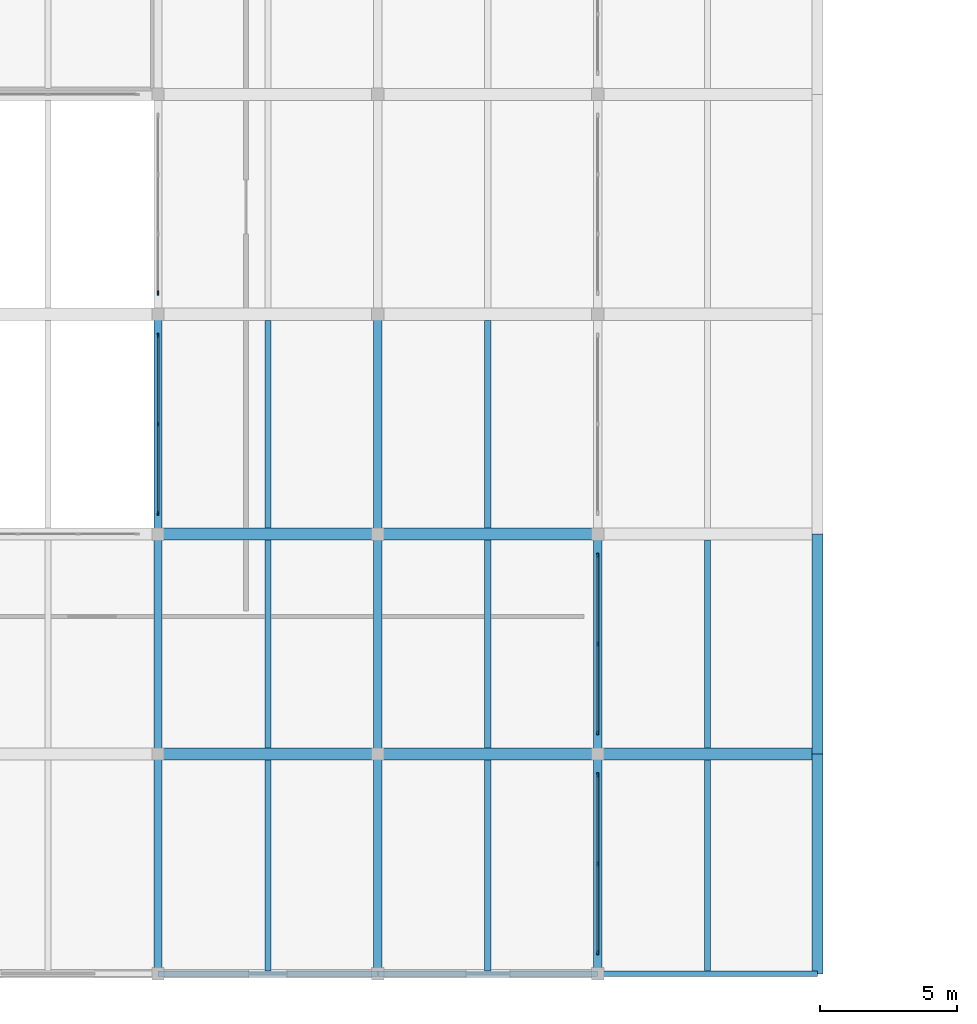
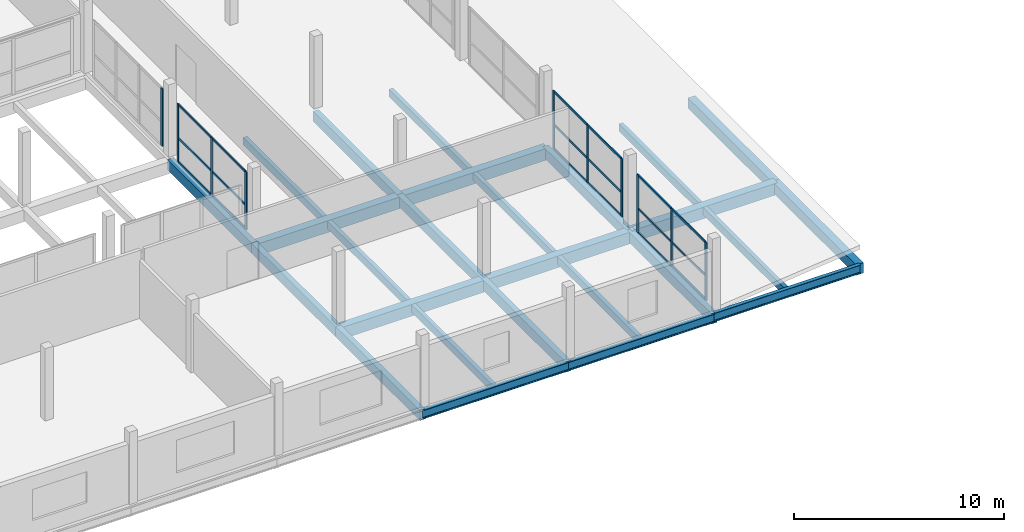
# One storey, part 9 of 53: 28 members, 26 beams, 4 elements without a shape of their own.
"""IFC4 building model written with IfcOpenShell, lengths in metres."""

from ifc_helpers import new_model, si_unit, direction, frame, origin, origin_2d, place, context, subcontext, project, spatial, rectangle, i_section, extrude, material, material_profile, profile_set, type_object, element, aggregate, save


model = new_model("IFC4")

# Units and contexts
model_context = context("Model", 3, precision=1e-05, world=origin(), true_north=direction((0.0, 1.0)))
body_context = subcontext(model_context, "Body", "Model", "MODEL_VIEW")
ifc_project = project(units=[si_unit("LENGTHUNIT", "METRE"), si_unit("AREAUNIT", "SQUARE_METRE"), si_unit("VOLUMEUNIT", "CUBIC_METRE"), si_unit("PLANEANGLEUNIT", "RADIAN"), si_unit("MASSUNIT", "GRAM", prefix="KILO")], contexts=[model_context])

# Site, building, storey
site_placement = place(None, origin())
site = spatial("IfcSite", under=ifc_project, at=site_placement, CompositionType="ELEMENT")
building_placement = place(site_placement, origin())
building = spatial("IfcBuilding", under=site, at=building_placement, Name="Vharandega Faculty of Natural Sciences", CompositionType="ELEMENT")
storey_placement = place(building_placement, frame((0.0, 0.0, 10.199951171875)))
storey = spatial("IfcBuildingStorey", under=building, at=storey_placement, Name="L02", CompositionType="ELEMENT", Elevation=10.199951171875)

# Curtain wall, members
ifc_material_1 = material(Name="Aluminium and solar-control glass curtain wall", Category="aluminium")
curtain_wall_type_1 = type_object("IfcCurtainWallType", Name="Unitised Curtain Wall System CW-22", PredefinedType="NOTDEFINED", material=ifc_material_1)
curtain_wall_1_placement = place(storey_placement, origin())
curtain_wall_1 = element("IfcCurtainWall", 1, at=curtain_wall_1_placement, inside=storey, type_object=curtain_wall_type_1, Name="Curtain Wall CW-L02-133", PredefinedType="NOTDEFINED")
ifc_material_2 = material(Name="Thermally broken aluminium 6063-T6", Category="aluminium")
ifc_material_profile_1 = material_profile(ifc_material_2, rectangle(XDim=0.06005859375, YDim=0.159912109375, at=origin_2d()), Name="ALU 60x160")
ifc_profile_set_1 = profile_set([ifc_material_profile_1], Name="Thermally broken aluminium 6063-T6")
member_type_1 = type_object("IfcMemberType", Name="CW Mullion 60x160", PredefinedType="MULLION", material=ifc_profile_set_1)
member_1_placement = place(storey_placement, frame((48.0, 0.77001953125, 0.0), z_axis=(0.0, 0.0, 1.0), x_axis=(-1.0, 0.0, 0.0)))
member_1 = element("IfcMember", 2, at=member_1_placement, type_object=member_type_1, Name="CW-22 mullion 1", PredefinedType="MULLION", context=body_context, shape_type="SweptSolid", body=[
    extrude(rectangle(XDim=0.06005859375, YDim=0.159912109375, at=origin_2d()), origin(), (0.0, 0.0, 1.0), 3.360107421875),
])
member_2_placement = place(storey_placement, frame((48.0, 4.0, 0.0), z_axis=(0.0, 0.0, 1.0), x_axis=(-1.0, 0.0, 0.0)))
member_2 = element("IfcMember", 3, at=member_2_placement, type_object=member_type_1, Name="CW-22 mullion 2", PredefinedType="MULLION", context=body_context, shape_type="SweptSolid", body=[
    extrude(rectangle(XDim=0.06005859375, YDim=0.159912109375, at=origin_2d()), origin(), (0.0, 0.0, 1.0), 3.360107421875),
])
member_3_placement = place(storey_placement, frame((48.0, 7.22998046875, 0.0), z_axis=(0.0, 0.0, 1.0), x_axis=(-1.0, 0.0, 0.0)))
member_3 = element("IfcMember", 4, at=member_3_placement, type_object=member_type_1, Name="CW-22 mullion 3", PredefinedType="MULLION", context=body_context, shape_type="SweptSolid", body=[
    extrude(rectangle(XDim=0.06005859375, YDim=0.159912109375, at=origin_2d()), origin(), (0.0, 0.0, 1.0), 3.360107421875),
])

ifc_material_3 = material(Name="Aluminium and solar-control glass curtain wall", Category="aluminium")
curtain_wall_type_2 = type_object("IfcCurtainWallType", Name="Unitised Curtain Wall System CW-23", PredefinedType="NOTDEFINED", material=ifc_material_3)
curtain_wall_2_placement = place(storey_placement, origin())
curtain_wall_2 = element("IfcCurtainWall", 5, at=curtain_wall_2_placement, inside=storey, type_object=curtain_wall_type_2, Name="Curtain Wall CW-L02-134", PredefinedType="NOTDEFINED")
member_4_placement = place(storey_placement, frame((48.0, 8.77001953125, 0.0), z_axis=(0.0, 0.0, 1.0), x_axis=(-1.0, 0.0, 0.0)))
member_4 = element("IfcMember", 6, at=member_4_placement, type_object=member_type_1, Name="CW-23 mullion 1", PredefinedType="MULLION", context=body_context, shape_type="SweptSolid", body=[
    extrude(rectangle(XDim=0.06005859375, YDim=0.159912109375, at=origin_2d()), origin(), (0.0, 0.0, 1.0), 3.360107421875),
])
member_5_placement = place(storey_placement, frame((48.0, 12.0, 0.0), z_axis=(0.0, 0.0, 1.0), x_axis=(-1.0, 0.0, 0.0)))
member_5 = element("IfcMember", 7, at=member_5_placement, type_object=member_type_1, Name="CW-23 mullion 2", PredefinedType="MULLION", context=body_context, shape_type="SweptSolid", body=[
    extrude(rectangle(XDim=0.06005859375, YDim=0.159912109375, at=origin_2d()), origin(), (0.0, 0.0, 1.0), 3.360107421875),
])
member_6_placement = place(storey_placement, frame((48.0, 15.22998046875, 0.0), z_axis=(0.0, 0.0, 1.0), x_axis=(-1.0, 0.0, 0.0)))
member_6 = element("IfcMember", 8, at=member_6_placement, type_object=member_type_1, Name="CW-23 mullion 3", PredefinedType="MULLION", context=body_context, shape_type="SweptSolid", body=[
    extrude(rectangle(XDim=0.06005859375, YDim=0.159912109375, at=origin_2d()), origin(), (0.0, 0.0, 1.0), 3.360107421875),
])

ifc_material_4 = material(Name="Aluminium and solar-control glass curtain wall", Category="aluminium")
curtain_wall_type_3 = type_object("IfcCurtainWallType", Name="Unitised Curtain Wall System CW-09", PredefinedType="NOTDEFINED", material=ifc_material_4)
curtain_wall_3_placement = place(storey_placement, origin())
curtain_wall_3 = element("IfcCurtainWall", 9, at=curtain_wall_3_placement, inside=storey, type_object=curtain_wall_type_3, Name="Curtain Wall CW-L02-148", PredefinedType="NOTDEFINED")
member_7_placement = place(storey_placement, frame((32.0, 16.77001953125, 0.0), z_axis=(0.0, 0.0, 1.0), x_axis=(-1.0, 0.0, 0.0)))
member_7 = element("IfcMember", 10, at=member_7_placement, type_object=member_type_1, Name="CW-09 mullion 1", PredefinedType="MULLION", context=body_context, shape_type="SweptSolid", body=[
    extrude(rectangle(XDim=0.06005859375, YDim=0.159912109375, at=origin_2d()), origin(), (0.0, 0.0, 1.0), 3.360107421875),
])
member_8_placement = place(storey_placement, frame((32.0, 20.0, 0.0), z_axis=(0.0, 0.0, 1.0), x_axis=(-1.0, 0.0, 0.0)))
member_8 = element("IfcMember", 11, at=member_8_placement, type_object=member_type_1, Name="CW-09 mullion 2", PredefinedType="MULLION", context=body_context, shape_type="SweptSolid", body=[
    extrude(rectangle(XDim=0.06005859375, YDim=0.159912109375, at=origin_2d()), origin(), (0.0, 0.0, 1.0), 3.360107421875),
])
member_9_placement = place(storey_placement, frame((32.0, 23.22998046875, 0.0), z_axis=(0.0, 0.0, 1.0), x_axis=(-1.0, 0.0, 0.0)))
member_9 = element("IfcMember", 12, at=member_9_placement, type_object=member_type_1, Name="CW-09 mullion 3", PredefinedType="MULLION", context=body_context, shape_type="SweptSolid", body=[
    extrude(rectangle(XDim=0.06005859375, YDim=0.159912109375, at=origin_2d()), origin(), (0.0, 0.0, 1.0), 3.360107421875),
])

# Curtain wall, member
ifc_material_5 = material(Name="Aluminium and solar-control glass curtain wall", Category="aluminium")
curtain_wall_type_4 = type_object("IfcCurtainWallType", Name="Unitised Curtain Wall System CW-11", PredefinedType="NOTDEFINED", material=ifc_material_5)
curtain_wall_4_placement = place(storey_placement, origin())
curtain_wall_4 = element("IfcCurtainWall", 13, at=curtain_wall_4_placement, inside=storey, type_object=curtain_wall_type_4, Name="Curtain Wall CW-L02-150", PredefinedType="NOTDEFINED")
member_10_placement = place(storey_placement, frame((32.0, 24.77001953125, 0.0), z_axis=(0.0, 0.0, 1.0), x_axis=(-1.0, 0.0, 0.0)))
member_10 = element("IfcMember", 14, at=member_10_placement, type_object=member_type_1, Name="CW-11 mullion 1", PredefinedType="MULLION", context=body_context, shape_type="SweptSolid", body=[
    extrude(rectangle(XDim=0.06005859375, YDim=0.159912109375, at=origin_2d()), origin(), (0.0, 0.0, 1.0), 3.360107421875),
])
aggregate(curtain_wall_4, [member_10])

# Member
ifc_material_6 = material(Name="Thermally broken aluminium 6063-T6", Category="aluminium")
ifc_material_profile_2 = material_profile(ifc_material_6, rectangle(XDim=0.06005859375, YDim=0.1201171875, at=origin_2d()), Name="ALU 60x120")
ifc_profile_set_2 = profile_set([ifc_material_profile_2], Name="Thermally broken aluminium 6063-T6")
member_type_2 = type_object("IfcMemberType", Name="CW Transom 60x120", PredefinedType="USERDEFINED", material=ifc_profile_set_2)
member_11_placement = place(storey_placement, frame((48.0, 0.800048828125, 0.030029296875), z_axis=(0.0, 1.0, 0.0), x_axis=(-1.0, 0.0, 0.0)))
member_11 = element("IfcMember", 15, at=member_11_placement, type_object=member_type_2, Name="CW-22 transom 1.1", ObjectType="TRANSOM", PredefinedType="USERDEFINED", context=body_context, shape_type="SweptSolid", body=[
    extrude(rectangle(XDim=0.06005859375, YDim=0.1201171875, at=origin_2d()), origin(), (0.0, 0.0, 1.0), 3.169921875),
])

member_12_placement = place(storey_placement, frame((48.0, 0.800048828125, 1.4111328125), z_axis=(0.0, 1.0, 0.0), x_axis=(-1.0, 0.0, 0.0)))
member_12 = element("IfcMember", 16, at=member_12_placement, type_object=member_type_2, Name="CW-22 transom 1.2", ObjectType="TRANSOM", PredefinedType="USERDEFINED", context=body_context, shape_type="SweptSolid", body=[
    extrude(rectangle(XDim=0.06005859375, YDim=0.1201171875, at=origin_2d()), origin(), (0.0, 0.0, 1.0), 3.169921875),
])

member_13_placement = place(storey_placement, frame((48.0, 0.800048828125, 3.330078125), z_axis=(0.0, 1.0, 0.0), x_axis=(-1.0, 0.0, 0.0)))
member_13 = element("IfcMember", 17, at=member_13_placement, type_object=member_type_2, Name="CW-22 transom 1.3", ObjectType="TRANSOM", PredefinedType="USERDEFINED", context=body_context, shape_type="SweptSolid", body=[
    extrude(rectangle(XDim=0.06005859375, YDim=0.1201171875, at=origin_2d()), origin(), (0.0, 0.0, 1.0), 3.169921875),
])

member_14_placement = place(storey_placement, frame((48.0, 4.030029296875, 0.030029296875), z_axis=(0.0, 1.0, 0.0), x_axis=(-1.0, 0.0, 0.0)))
member_14 = element("IfcMember", 18, at=member_14_placement, type_object=member_type_2, Name="CW-22 transom 2.1", ObjectType="TRANSOM", PredefinedType="USERDEFINED", context=body_context, shape_type="SweptSolid", body=[
    extrude(rectangle(XDim=0.06005859375, YDim=0.1201171875, at=origin_2d()), origin(), (0.0, 0.0, 1.0), 3.169921875),
])

member_15_placement = place(storey_placement, frame((48.0, 4.030029296875, 1.4111328125), z_axis=(0.0, 1.0, 0.0), x_axis=(-1.0, 0.0, 0.0)))
member_15 = element("IfcMember", 19, at=member_15_placement, type_object=member_type_2, Name="CW-22 transom 2.2", ObjectType="TRANSOM", PredefinedType="USERDEFINED", context=body_context, shape_type="SweptSolid", body=[
    extrude(rectangle(XDim=0.06005859375, YDim=0.1201171875, at=origin_2d()), origin(), (0.0, 0.0, 1.0), 3.169921875),
])

member_16_placement = place(storey_placement, frame((48.0, 4.030029296875, 3.330078125), z_axis=(0.0, 1.0, 0.0), x_axis=(-1.0, 0.0, 0.0)))
member_16 = element("IfcMember", 20, at=member_16_placement, type_object=member_type_2, Name="CW-22 transom 2.3", ObjectType="TRANSOM", PredefinedType="USERDEFINED", context=body_context, shape_type="SweptSolid", body=[
    extrude(rectangle(XDim=0.06005859375, YDim=0.1201171875, at=origin_2d()), origin(), (0.0, 0.0, 1.0), 3.169921875),
])

aggregate(curtain_wall_1, [member_1, member_2, member_3, member_11, member_12, member_13, member_14, member_15, member_16])

member_17_placement = place(storey_placement, frame((48.0, 8.800048828125, 0.030029296875), z_axis=(0.0, 1.0, 0.0), x_axis=(-1.0, 0.0, 0.0)))
member_17 = element("IfcMember", 21, at=member_17_placement, type_object=member_type_2, Name="CW-23 transom 1.1", ObjectType="TRANSOM", PredefinedType="USERDEFINED", context=body_context, shape_type="SweptSolid", body=[
    extrude(rectangle(XDim=0.06005859375, YDim=0.1201171875, at=origin_2d()), origin(), (0.0, 0.0, 1.0), 3.169921875),
])

member_18_placement = place(storey_placement, frame((48.0, 8.800048828125, 1.4111328125), z_axis=(0.0, 1.0, 0.0), x_axis=(-1.0, 0.0, 0.0)))
member_18 = element("IfcMember", 22, at=member_18_placement, type_object=member_type_2, Name="CW-23 transom 1.2", ObjectType="TRANSOM", PredefinedType="USERDEFINED", context=body_context, shape_type="SweptSolid", body=[
    extrude(rectangle(XDim=0.06005859375, YDim=0.1201171875, at=origin_2d()), origin(), (0.0, 0.0, 1.0), 3.169921875),
])

member_19_placement = place(storey_placement, frame((48.0, 8.800048828125, 3.330078125), z_axis=(0.0, 1.0, 0.0), x_axis=(-1.0, 0.0, 0.0)))
member_19 = element("IfcMember", 23, at=member_19_placement, type_object=member_type_2, Name="CW-23 transom 1.3", ObjectType="TRANSOM", PredefinedType="USERDEFINED", context=body_context, shape_type="SweptSolid", body=[
    extrude(rectangle(XDim=0.06005859375, YDim=0.1201171875, at=origin_2d()), origin(), (0.0, 0.0, 1.0), 3.169921875),
])

member_20_placement = place(storey_placement, frame((48.0, 12.030029296875, 0.030029296875), z_axis=(0.0, 1.0, 0.0), x_axis=(-1.0, 0.0, 0.0)))
member_20 = element("IfcMember", 24, at=member_20_placement, type_object=member_type_2, Name="CW-23 transom 2.1", ObjectType="TRANSOM", PredefinedType="USERDEFINED", context=body_context, shape_type="SweptSolid", body=[
    extrude(rectangle(XDim=0.06005859375, YDim=0.1201171875, at=origin_2d()), origin(), (0.0, 0.0, 1.0), 3.169921875),
])

member_21_placement = place(storey_placement, frame((48.0, 12.030029296875, 1.4111328125), z_axis=(0.0, 1.0, 0.0), x_axis=(-1.0, 0.0, 0.0)))
member_21 = element("IfcMember", 25, at=member_21_placement, type_object=member_type_2, Name="CW-23 transom 2.2", ObjectType="TRANSOM", PredefinedType="USERDEFINED", context=body_context, shape_type="SweptSolid", body=[
    extrude(rectangle(XDim=0.06005859375, YDim=0.1201171875, at=origin_2d()), origin(), (0.0, 0.0, 1.0), 3.169921875),
])

member_22_placement = place(storey_placement, frame((48.0, 12.030029296875, 3.330078125), z_axis=(0.0, 1.0, 0.0), x_axis=(-1.0, 0.0, 0.0)))
member_22 = element("IfcMember", 26, at=member_22_placement, type_object=member_type_2, Name="CW-23 transom 2.3", ObjectType="TRANSOM", PredefinedType="USERDEFINED", context=body_context, shape_type="SweptSolid", body=[
    extrude(rectangle(XDim=0.06005859375, YDim=0.1201171875, at=origin_2d()), origin(), (0.0, 0.0, 1.0), 3.169921875),
])

aggregate(curtain_wall_2, [member_4, member_5, member_6, member_17, member_18, member_19, member_20, member_21, member_22])

member_23_placement = place(storey_placement, frame((32.0, 16.800048828125, 0.030029296875), z_axis=(0.0, 1.0, 0.0), x_axis=(-1.0, 0.0, 0.0)))
member_23 = element("IfcMember", 27, at=member_23_placement, type_object=member_type_2, Name="CW-09 transom 1.1", ObjectType="TRANSOM", PredefinedType="USERDEFINED", context=body_context, shape_type="SweptSolid", body=[
    extrude(rectangle(XDim=0.06005859375, YDim=0.1201171875, at=origin_2d()), origin(), (0.0, 0.0, 1.0), 3.169921875),
])

member_24_placement = place(storey_placement, frame((32.0, 16.800048828125, 1.4111328125), z_axis=(0.0, 1.0, 0.0), x_axis=(-1.0, 0.0, 0.0)))
member_24 = element("IfcMember", 28, at=member_24_placement, type_object=member_type_2, Name="CW-09 transom 1.2", ObjectType="TRANSOM", PredefinedType="USERDEFINED", context=body_context, shape_type="SweptSolid", body=[
    extrude(rectangle(XDim=0.06005859375, YDim=0.1201171875, at=origin_2d()), origin(), (0.0, 0.0, 1.0), 3.169921875),
])

member_25_placement = place(storey_placement, frame((32.0, 16.800048828125, 3.330078125), z_axis=(0.0, 1.0, 0.0), x_axis=(-1.0, 0.0, 0.0)))
member_25 = element("IfcMember", 29, at=member_25_placement, type_object=member_type_2, Name="CW-09 transom 1.3", ObjectType="TRANSOM", PredefinedType="USERDEFINED", context=body_context, shape_type="SweptSolid", body=[
    extrude(rectangle(XDim=0.06005859375, YDim=0.1201171875, at=origin_2d()), origin(), (0.0, 0.0, 1.0), 3.169921875),
])

member_26_placement = place(storey_placement, frame((32.0, 20.030029296875, 0.030029296875), z_axis=(0.0, 1.0, 0.0), x_axis=(-1.0, 0.0, 0.0)))
member_26 = element("IfcMember", 30, at=member_26_placement, type_object=member_type_2, Name="CW-09 transom 2.1", ObjectType="TRANSOM", PredefinedType="USERDEFINED", context=body_context, shape_type="SweptSolid", body=[
    extrude(rectangle(XDim=0.06005859375, YDim=0.1201171875, at=origin_2d()), origin(), (0.0, 0.0, 1.0), 3.169921875),
])

member_27_placement = place(storey_placement, frame((32.0, 20.030029296875, 1.4111328125), z_axis=(0.0, 1.0, 0.0), x_axis=(-1.0, 0.0, 0.0)))
member_27 = element("IfcMember", 31, at=member_27_placement, type_object=member_type_2, Name="CW-09 transom 2.2", ObjectType="TRANSOM", PredefinedType="USERDEFINED", context=body_context, shape_type="SweptSolid", body=[
    extrude(rectangle(XDim=0.06005859375, YDim=0.1201171875, at=origin_2d()), origin(), (0.0, 0.0, 1.0), 3.169921875),
])

member_28_placement = place(storey_placement, frame((32.0, 20.030029296875, 3.330078125), z_axis=(0.0, 1.0, 0.0), x_axis=(-1.0, 0.0, 0.0)))
member_28 = element("IfcMember", 32, at=member_28_placement, type_object=member_type_2, Name="CW-09 transom 2.3", ObjectType="TRANSOM", PredefinedType="USERDEFINED", context=body_context, shape_type="SweptSolid", body=[
    extrude(rectangle(XDim=0.06005859375, YDim=0.1201171875, at=origin_2d()), origin(), (0.0, 0.0, 1.0), 3.169921875),
])

aggregate(curtain_wall_3, [member_7, member_8, member_9, member_23, member_24, member_25, member_26, member_27, member_28])

# Beams
ifc_material_7 = material(Name="Glulam GL28h", Category="wood")
ifc_material_profile_3 = material_profile(ifc_material_7, rectangle(XDim=0.300048828125, YDim=0.60009765625, at=origin_2d()), Name="GL28h 300x600")
ifc_profile_set_3 = profile_set([ifc_material_profile_3], Name="Glulam GL28h")
beam_type_1 = type_object("IfcBeamType", Name="Glulam Floor Beam 300x600", PredefinedType="BEAM", material=ifc_profile_set_3)
for number, where, z_axis, x_axis, name in (
    (33, (32.0, 0.0, -0.579833984375), (0.0, 1.0, 0.0), (-1.0, 0.0, 0.0), "Beam L02 5/A-B"),
    (34, (32.0, 8.0, -0.579833984375), (0.0, 1.0, 0.0), (-1.0, 0.0, 0.0), "Beam L02 5/B-C"),
    (35, (32.0, 16.0, -0.579833984375), (0.0, 1.0, 0.0), (-1.0, 0.0, 0.0), "Beam L02 5/C-D"),
    (36, (40.0, 0.0, -0.579833984375), (0.0, 1.0, 0.0), (-1.0, 0.0, 0.0), "Beam L02 6/A-B"),
    (37, (40.0, 8.0, -0.579833984375), (0.0, 1.0, 0.0), (-1.0, 0.0, 0.0), "Beam L02 6/B-C"),
    (38, (40.0, 16.0, -0.579833984375), (0.0, 1.0, 0.0), (-1.0, 0.0, 0.0), "Beam L02 6/C-D"),
    (39, (48.0, 0.0, -0.579833984375), (0.0, 1.0, 0.0), (-1.0, 0.0, 0.0), "Beam L02 7/A-B"),
    (40, (48.0, 8.0, -0.579833984375), (0.0, 1.0, 0.0), (-1.0, 0.0, 0.0), "Beam L02 7/B-C"),
):
    element("IfcBeam", number, at=place(storey_placement, frame(where, z_axis=z_axis, x_axis=x_axis)), inside=storey, type_object=beam_type_1, Name=name, PredefinedType="BEAM", context=body_context, shape_type="SweptSolid", body=[
        extrude(rectangle(XDim=0.300048828125, YDim=0.60009765625, at=origin_2d()), origin(), (0.0, 0.0, 1.0), 8.0),
    ])
ifc_material_8 = material(Name="Glulam GL32h", Category="wood")
ifc_material_profile_4 = material_profile(ifc_material_8, rectangle(XDim=0.43994140625, YDim=0.679931640625, at=origin_2d()), Name="GL32h 440x680")
ifc_profile_set_4 = profile_set([ifc_material_profile_4], Name="Glulam GL32h")
beam_type_2 = type_object("IfcBeamType", Name="Glulam Girder 440x680", PredefinedType="BEAM", material=ifc_profile_set_4)
for number, where, z_axis, x_axis, name in (
    (41, (32.0, 8.0, -0.619873046875), (1.0, 0.0, 0.0), (0.0, 1.0, 0.0), "Beam L02 B/5-6"),
    (42, (40.0, 8.0, -0.619873046875), (1.0, 0.0, 0.0), (0.0, 1.0, 0.0), "Beam L02 B/6-7"),
    (43, (48.0, 8.0, -0.579833984375), (1.0, 0.0, 0.0), (0.0, 1.0, 0.0), "Beam L02 B/7-8"),
    (44, (32.0, 16.0, -0.619873046875), (1.0, 0.0, 0.0), (0.0, 1.0, 0.0), "Beam L02 C/5-6"),
    (45, (40.0, 16.0, -0.619873046875), (1.0, 0.0, 0.0), (0.0, 1.0, 0.0), "Beam L02 C/6-7"),
):
    element("IfcBeam", number, at=place(storey_placement, frame(where, z_axis=z_axis, x_axis=x_axis)), inside=storey, type_object=beam_type_2, Name=name, PredefinedType="BEAM", context=body_context, shape_type="SweptSolid", body=[
        extrude(rectangle(XDim=0.43994140625, YDim=0.679931640625, at=origin_2d()), origin(), (0.0, 0.0, 1.0), 8.0),
    ])
ifc_material_9 = material(Name="Glulam GL28h", Category="wood")
ifc_material_profile_5 = material_profile(ifc_material_9, rectangle(XDim=0.219970703125, YDim=0.43994140625, at=origin_2d()), Name="GL28h 220x440")
ifc_profile_set_5 = profile_set([ifc_material_profile_5], Name="Glulam GL28h")
beam_type_3 = type_object("IfcBeamType", Name="Glulam Secondary Joist 220x440", PredefinedType="JOIST", material=ifc_profile_set_5)
beam_1_placement = place(storey_placement, frame((36.0, 0.10009765625, -0.5), z_axis=(0.0, 1.0, 0.0), x_axis=(-1.0, 0.0, 0.0)))
element("IfcBeam", 46, at=beam_1_placement, inside=storey, type_object=beam_type_3, Name="Secondary Joist L02 5-6/A-B", PredefinedType="JOIST", context=body_context, shape_type="SweptSolid", body=[
    extrude(rectangle(XDim=0.219970703125, YDim=0.43994140625, at=origin_2d()), origin(), (0.0, 0.0, 1.0), 7.679931640625),
])
for number, where, z_axis, x_axis, name in (
    (47, (36.0, 8.219970703125, -0.5), (0.0, 1.0, 0.0), (-1.0, 0.0, 0.0), "Secondary Joist L02 5-6/B-C"),
    (48, (36.0, 16.219970703125, -0.5), (0.0, 1.0, 0.0), (-1.0, 0.0, 0.0), "Secondary Joist L02 5-6/C-D"),
):
    element("IfcBeam", number, at=place(storey_placement, frame(where, z_axis=z_axis, x_axis=x_axis)), inside=storey, type_object=beam_type_3, Name=name, PredefinedType="JOIST", context=body_context, shape_type="SweptSolid", body=[
        extrude(rectangle(XDim=0.219970703125, YDim=0.43994140625, at=origin_2d()), origin(), (0.0, 0.0, 1.0), 7.56005859375),
    ])
beam_2_placement = place(storey_placement, frame((44.0, 0.10009765625, -0.5), z_axis=(0.0, 1.0, 0.0), x_axis=(-1.0, 0.0, 0.0)))
element("IfcBeam", 49, at=beam_2_placement, inside=storey, type_object=beam_type_3, Name="Secondary Joist L02 6-7/A-B", PredefinedType="JOIST", context=body_context, shape_type="SweptSolid", body=[
    extrude(rectangle(XDim=0.219970703125, YDim=0.43994140625, at=origin_2d()), origin(), (0.0, 0.0, 1.0), 7.679931640625),
])
for number, where, z_axis, x_axis, name in (
    (50, (44.0, 8.219970703125, -0.5), (0.0, 1.0, 0.0), (-1.0, 0.0, 0.0), "Secondary Joist L02 6-7/B-C"),
    (51, (44.0, 16.219970703125, -0.5), (0.0, 1.0, 0.0), (-1.0, 0.0, 0.0), "Secondary Joist L02 6-7/C-D"),
):
    element("IfcBeam", number, at=place(storey_placement, frame(where, z_axis=z_axis, x_axis=x_axis)), inside=storey, type_object=beam_type_3, Name=name, PredefinedType="JOIST", context=body_context, shape_type="SweptSolid", body=[
        extrude(rectangle(XDim=0.219970703125, YDim=0.43994140625, at=origin_2d()), origin(), (0.0, 0.0, 1.0), 7.56005859375),
    ])
beam_3_placement = place(storey_placement, frame((52.0, 0.10009765625, -0.4599609375), z_axis=(0.0, 1.0, 0.0), x_axis=(-1.0, 0.0, 0.0)))
element("IfcBeam", 52, at=beam_3_placement, inside=storey, type_object=beam_type_3, Name="Secondary Joist L02 7-8/A-B", PredefinedType="JOIST", context=body_context, shape_type="SweptSolid", body=[
    extrude(rectangle(XDim=0.219970703125, YDim=0.43994140625, at=origin_2d()), origin(), (0.0, 0.0, 1.0), 7.679931640625),
])
beam_4_placement = place(storey_placement, frame((52.0, 8.219970703125, -0.4599609375), z_axis=(0.0, 1.0, 0.0), x_axis=(-1.0, 0.0, 0.0)))
element("IfcBeam", 53, at=beam_4_placement, inside=storey, type_object=beam_type_3, Name="Secondary Joist L02 7-8/B-C", PredefinedType="JOIST", context=body_context, shape_type="SweptSolid", body=[
    extrude(rectangle(XDim=0.219970703125, YDim=0.43994140625, at=origin_2d()), origin(), (0.0, 0.0, 1.0), 7.56005859375),
])
ifc_material_10 = material(Name="Glulam GL32h", Category="wood")
ifc_material_profile_6 = material_profile(ifc_material_10, rectangle(XDim=0.39990234375, YDim=0.60009765625, at=origin_2d()), Name="GL32h 400x600")
ifc_profile_set_6 = profile_set([ifc_material_profile_6], Name="Glulam GL32h")
beam_type_4 = type_object("IfcBeamType", Name="Glulam Spine Girder 400x600", PredefinedType="BEAM", material=ifc_profile_set_6)
for number, where, z_axis, x_axis, name in (
    (54, (56.0, 0.0, -0.5400390625), (0.0, 1.0, 0.0), (-1.0, 0.0, 0.0), "Beam L02 8/A-B"),
    (55, (56.0, 8.0, -0.5400390625), (0.0, 1.0, 0.0), (-1.0, 0.0, 0.0), "Beam L02 8/B-C"),
):
    element("IfcBeam", number, at=place(storey_placement, frame(where, z_axis=z_axis, x_axis=x_axis)), inside=storey, type_object=beam_type_4, Name=name, PredefinedType="BEAM", context=body_context, shape_type="SweptSolid", body=[
        extrude(rectangle(XDim=0.39990234375, YDim=0.60009765625, at=origin_2d()), origin(), (0.0, 0.0, 1.0), 8.0),
    ])
ifc_material_11 = material(Name="Steel S355", Category="steel")
ifc_material_profile_7 = material_profile(ifc_material_11, i_section(OverallWidth=0.199951171875, OverallDepth=0.5, WebThickness=0.01025390625, FlangeThickness=0.01611328125, FilletRadius=0.02099609375, at=origin_2d()), Name="IPE 500")
ifc_profile_set_7 = profile_set([ifc_material_profile_7], Name="Steel S355")
beam_type_5 = type_object("IfcBeamType", Name="Steel Spandrel Beam IPE 500", PredefinedType="SPANDREL", material=ifc_profile_set_7)
for number, where, z_axis, x_axis, name in (
    (56, (32.0, 0.0, -0.530029296875), (1.0, 0.0, 0.0), (0.0, 1.0, 0.0), "Beam L02 A/5-6"),
    (57, (40.0, 0.0, -0.530029296875), (1.0, 0.0, 0.0), (0.0, 1.0, 0.0), "Beam L02 A/6-7"),
    (58, (48.0, 0.0, -0.489990234375), (1.0, 0.0, 0.0), (0.0, 1.0, 0.0), "Beam L02 A/7-8"),
):
    element("IfcBeam", number, at=place(storey_placement, frame(where, z_axis=z_axis, x_axis=x_axis)), inside=storey, type_object=beam_type_5, Name=name, PredefinedType="SPANDREL", context=body_context, shape_type="SweptSolid", body=[
        extrude(i_section(OverallWidth=0.199951171875, OverallDepth=0.5, WebThickness=0.01025390625, FlangeThickness=0.01611328125, FilletRadius=0.02099609375, at=origin_2d()), origin(), (0.0, 0.0, 1.0), 8.0),
    ])

save(model, "model.ifc")
